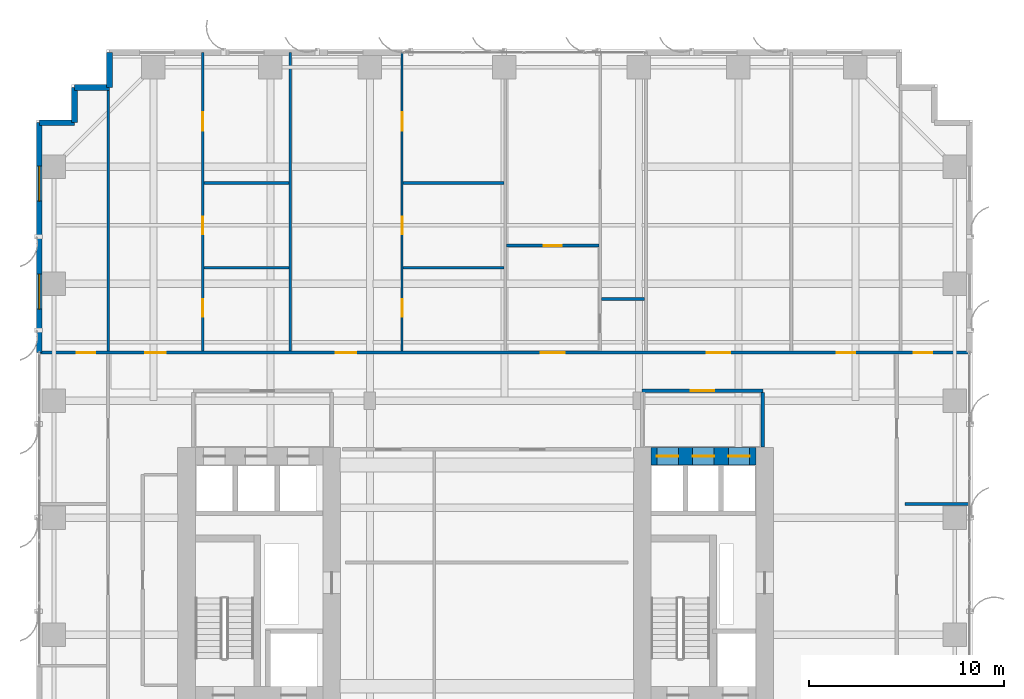
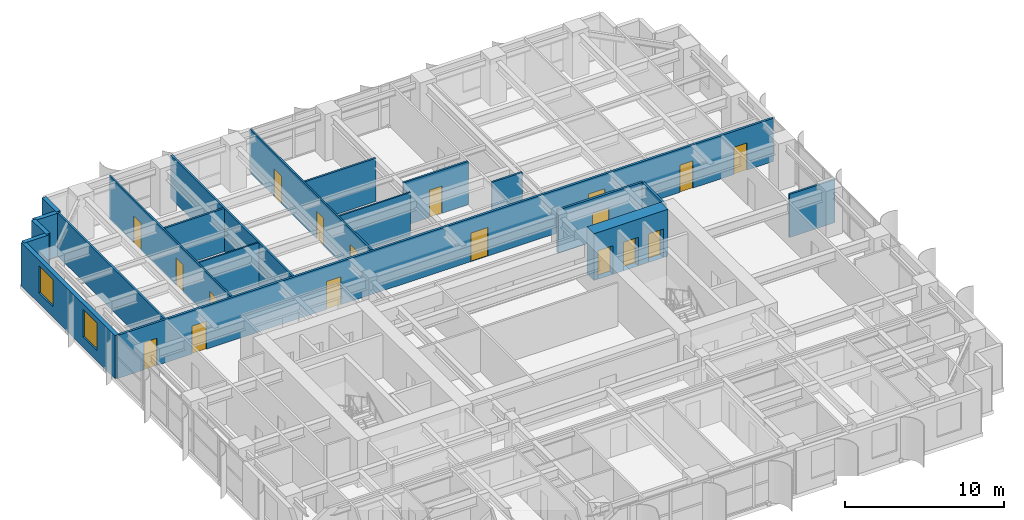
# One storey, part 18 of 23: 20 walls, 18 doors, 2 windows, 20 openings.
"""IFC4 building model written with IfcOpenShell, lengths in metres."""

from ifc_helpers import new_model, si_unit, direction, frame, frame_2d, origin, place, context, subcontext, project, spatial, rectangle, extrude, source, transform, mapped, material, layer, layer_set, type_object, element, fill, save


model = new_model("IFC4")

# Units and contexts
model_context = context("Model", 3, precision=1e-05, world=origin(), true_north=direction((0.0, 1.0)))
body_context = subcontext(model_context, "Body", "Model", "MODEL_VIEW")
ifc_project = project(units=[si_unit("LENGTHUNIT", "METRE"), si_unit("AREAUNIT", "SQUARE_METRE"), si_unit("VOLUMEUNIT", "CUBIC_METRE"), si_unit("PLANEANGLEUNIT", "RADIAN"), si_unit("MASSUNIT", "GRAM", prefix="KILO")], contexts=[model_context])

# Site, building, storey
site_placement = place(None, origin())
site = spatial("IfcSite", under=ifc_project, at=site_placement, CompositionType="ELEMENT")
building_placement = place(site_placement, origin())
building = spatial("IfcBuilding", under=site, at=building_placement, Name="Khoralis Quay Care Tower", CompositionType="ELEMENT")
storey_placement = place(building_placement, frame((0.0, 0.0, 33.300048828125)))
storey = spatial("IfcBuildingStorey", under=building, at=storey_placement, Name="L08", CompositionType="ELEMENT", Elevation=33.300048828125)

# Wall, openings, doors
ifc_material_1 = material(Name="Concrete C80/95", Category="concrete")
ifc_layer_1 = layer(ifc_material_1, 0.89990234375)
ifc_layer_set_1 = layer_set([ifc_layer_1], Name="Concrete C80/95")
wall_type_1 = type_object("IfcWallType", Name="WL-CORE-900", PredefinedType="SHEAR", material=ifc_layer_set_1)
wall_1_placement = place(storey_placement, frame((31.52001953125, 27.14990234375, 0.0), z_axis=(0.0, 0.0, 1.0), x_axis=(1.0, 0.0, 0.0)))
wall_1 = element("IfcWall", 1, at=wall_1_placement, inside=storey, type_object=wall_type_1, Name="L08 ECORE North Shear Wall", PredefinedType="SHEAR", context=body_context, shape_type="SweptSolid", body=[
    extrude(rectangle(XDim=5.3798828125, YDim=0.89990234375, at=frame_2d((2.68994140625, 0.0))), origin(), (0.0, 0.0, 1.0), 3.599853515625),
])
opening_1_placement = place(wall_1_placement, frame((0.300048828125, 0.0, 0.0)))
opening_1 = element("IfcOpeningElement", 2, at=opening_1_placement, cuts=wall_1, Name="Opening LD1", PredefinedType="OPENING", context=body_context, shape_type="SweptSolid", body=[
    extrude(rectangle(XDim=1.10009765625, YDim=2.199951171875, at=frame_2d((0.550048828125, 1.10009765625))), frame((0.0, 0.4599609375, 0.0), z_axis=(0.0, -1.0, 0.0), x_axis=(1.0, 0.0, 0.0)), (0.0, 0.0, 1.0), 0.919921875),
])
opening_2_placement = place(wall_1_placement, frame((2.1298828125, 0.0, 0.0)))
opening_2 = element("IfcOpeningElement", 3, at=opening_2_placement, cuts=wall_1, Name="Opening LD1", PredefinedType="OPENING", context=body_context, shape_type="SweptSolid", body=[
    extrude(rectangle(XDim=1.10009765625, YDim=2.199951171875, at=frame_2d((0.550048828125, 1.10009765625))), frame((0.0, 0.4599609375, 0.0), z_axis=(0.0, -1.0, 0.0), x_axis=(1.0, 0.0, 0.0)), (0.0, 0.0, 1.0), 0.919921875),
])
opening_3_placement = place(wall_1_placement, frame((3.9599609375, 0.0, 0.0)))
opening_3 = element("IfcOpeningElement", 4, at=opening_3_placement, cuts=wall_1, Name="Opening LD1", PredefinedType="OPENING", context=body_context, shape_type="SweptSolid", body=[
    extrude(rectangle(XDim=1.10009765625, YDim=2.199951171875, at=frame_2d((0.550048828125, 1.10009765625))), frame((0.0, 0.4599609375, 0.0), z_axis=(0.0, -1.0, 0.0), x_axis=(1.0, 0.0, 0.0)), (0.0, 0.0, 1.0), 0.919921875),
])
ifc_material_2 = material(Name="Brushed stainless steel", Category="steel")
door_type_1 = type_object("IfcDoorType", Name="DR-LIFT-1100X2200", OperationType="SLIDING_TO_LEFT", PredefinedType="DOOR", material=ifc_material_2)
shared_shape_1 = source(origin(), body_context, "Body", "SweptSolid", [
    extrude(rectangle(XDim=1.10009765625, YDim=2.199951171875, at=frame_2d((0.550048828125, 1.10009765625))), frame((0.0, 0.02490234375, 0.0), z_axis=(0.0, -1.0, 0.0), x_axis=(1.0, 0.0, 0.0)), (0.0, 0.0, 1.0), 0.050048828125),
])
door_1_placement = place(opening_1_placement, origin())
door_1 = element("IfcDoor", 5, at=door_1_placement, inside=storey, type_object=door_type_1, Name="L08 Lift PLL2 Landing Door", OperationType="SLIDING_TO_LEFT", OverallHeight=2.199951171875, OverallWidth=1.10009765625, PredefinedType="DOOR", context=body_context, shape_type="MappedRepresentation", body=[
    mapped(shared_shape_1, transform((0.0, 0.0, 0.0), scale=1.0)),
])
fill(opening_1, door_1)
door_2_placement = place(opening_2_placement, origin())
door_2 = element("IfcDoor", 6, at=door_2_placement, inside=storey, type_object=door_type_1, Name="L08 Lift PLM2 Landing Door", OperationType="SLIDING_TO_LEFT", OverallHeight=2.199951171875, OverallWidth=1.10009765625, PredefinedType="DOOR", context=body_context, shape_type="MappedRepresentation", body=[
    mapped(shared_shape_1, transform((0.0, 0.0, 0.0), scale=1.0)),
])
fill(opening_2, door_2)
door_3_placement = place(opening_3_placement, origin())
door_3 = element("IfcDoor", 7, at=door_3_placement, inside=storey, type_object=door_type_1, Name="L08 Lift PLH2 Landing Door", OperationType="SLIDING_TO_LEFT", OverallHeight=2.199951171875, OverallWidth=1.10009765625, PredefinedType="DOOR", context=body_context, shape_type="MappedRepresentation", body=[
    mapped(shared_shape_1, transform((0.0, 0.0, 0.0), scale=1.0)),
])
fill(opening_3, door_3)

# Wall, opening, door
ifc_material_3 = material(Name="Gypsum plasterboard on acoustic metal stud")
ifc_layer_2 = layer(ifc_material_3, 0.1650390625)
ifc_layer_set_2 = layer_set([ifc_layer_2], Name="Gypsum plasterboard on acoustic metal stud")
wall_type_2 = type_object("IfcWallType", Name="WL-CORR-165", PredefinedType="PARTITIONING", material=ifc_layer_set_2)
wall_2_placement = place(storey_placement, frame((31.050048828125, 30.5, 0.0), z_axis=(0.0, 0.0, 1.0), x_axis=(1.0, 0.0, 0.0)))
wall_2 = element("IfcWall", 8, at=wall_2_placement, inside=storey, type_object=wall_type_2, Name="L08 East Lift Lobby North Wall", PredefinedType="PARTITIONING", context=body_context, shape_type="SweptSolid", body=[
    extrude(rectangle(XDim=6.199951171875, YDim=0.1650390625, at=frame_2d((3.10009765625, 0.0))), origin(), (0.0, 0.0, 1.0), 3.320068359375),
])
opening_4_placement = place(wall_2_placement, frame((2.5, 0.0, 0.0)))
opening_4 = element("IfcOpeningElement", 9, at=opening_4_placement, cuts=wall_2, Name="Opening FD1", PredefinedType="OPENING", context=body_context, shape_type="SweptSolid", body=[
    extrude(rectangle(XDim=1.199951171875, YDim=2.199951171875, at=frame_2d((0.60009765625, 1.10009765625))), frame((0.0, 0.092529296875, 0.0), z_axis=(0.0, -1.0, 0.0), x_axis=(1.0, 0.0, 0.0)), (0.0, 0.0, 1.0), 0.18505859375),
])
ifc_material_4 = material(Name="Fire-rated painted steel", Category="steel")
door_type_2 = type_object("IfcDoorType", Name="DR-FFL-1200X2200", OperationType="NOTDEFINED", PredefinedType="DOOR", material=ifc_material_4)
shared_shape_2 = source(origin(), body_context, "Body", "SweptSolid", [
    extrude(rectangle(XDim=1.199951171875, YDim=2.199951171875, at=frame_2d((0.60009765625, 1.10009765625))), frame((0.0, 0.02490234375, 0.0), z_axis=(0.0, -1.0, 0.0), x_axis=(1.0, 0.0, 0.0)), (0.0, 0.0, 1.0), 0.050048828125),
])
door_4_placement = place(opening_4_placement, origin())
door_4 = element("IfcDoor", 10, at=door_4_placement, inside=storey, type_object=door_type_2, Name="L08 East Lift Lobby Double Door", OperationType="DOUBLE_DOOR_SINGLE_SWING", OverallHeight=2.199951171875, OverallWidth=1.199951171875, PredefinedType="DOOR", context=body_context, shape_type="MappedRepresentation", body=[
    mapped(shared_shape_2, transform((0.0, 0.0, 0.0), scale=1.0)),
])
fill(opening_4, door_4)

# Wall
wall_3_placement = place(storey_placement, frame((37.25, 27.6201171875, 0.0), z_axis=(0.0, 0.0, 1.0), x_axis=(0.0, 1.0, 0.0)))
element("IfcWall", 11, at=wall_3_placement, inside=storey, type_object=wall_type_2, Name="L08 East Lift Lobby East Wall", PredefinedType="PARTITIONING", context=body_context, shape_type="SweptSolid", body=[
    extrude(rectangle(XDim=2.802490234375, YDim=0.1650390625, at=frame_2d((1.4013671875, 0.0))), origin(), (0.0, 0.0, 1.0), 3.320068359375),
])

# Wall, openings, doors
wall_4_placement = place(storey_placement, frame((0.14501953125, 32.4599609375, 0.0), z_axis=(0.0, 0.0, 1.0), x_axis=(1.0, 0.0, 0.0)))
wall_4 = element("IfcWall", 12, at=wall_4_placement, inside=storey, type_object=wall_type_2, Name="L08 North Main Corridor Wall", PredefinedType="PARTITIONING", context=body_context, shape_type="SweptSolid", body=[
    extrude(rectangle(XDim=47.7099609375, YDim=0.1650390625, at=frame_2d((23.85498046875, 0.0))), origin(), (0.0, 0.0, 1.0), 3.320068359375),
])
opening_5_placement = place(wall_4_placement, frame((5.4384765625, 0.0, 0.0)))
opening_5 = element("IfcOpeningElement", 13, at=opening_5_placement, cuts=wall_4, Name="Opening UD1", PredefinedType="OPENING", context=body_context, shape_type="SweptSolid", body=[
    extrude(rectangle(XDim=1.050048828125, YDim=2.14990234375, at=frame_2d((0.52490234375, 1.074951171875))), frame((0.0, 0.092529296875, 0.0), z_axis=(0.0, -1.0, 0.0), x_axis=(1.0, 0.0, 0.0)), (0.0, 0.0, 1.0), 0.18505859375),
])
opening_6_placement = place(wall_4_placement, frame((15.218017578125, 0.0, 0.0)))
opening_6 = element("IfcOpeningElement", 14, at=opening_6_placement, cuts=wall_4, Name="Opening UD1", PredefinedType="OPENING", context=body_context, shape_type="SweptSolid", body=[
    extrude(rectangle(XDim=1.050048828125, YDim=2.14990234375, at=frame_2d((0.52490234375, 1.074951171875))), frame((0.0, 0.092529296875, 0.0), z_axis=(0.0, -1.0, 0.0), x_axis=(1.0, 0.0, 0.0)), (0.0, 0.0, 1.0), 0.18505859375),
])
opening_7_placement = place(wall_4_placement, frame((25.7099609375, 0.0, 0.0)))
opening_7 = element("IfcOpeningElement", 15, at=opening_7_placement, cuts=wall_4, Name="Opening CD1", PredefinedType="OPENING", context=body_context, shape_type="SweptSolid", body=[
    extrude(rectangle(XDim=1.25, YDim=2.199951171875, at=frame_2d((0.625, 1.10009765625))), frame((0.0, 0.092529296875, 0.0), z_axis=(0.0, -1.0, 0.0), x_axis=(1.0, 0.0, 0.0)), (0.0, 0.0, 1.0), 0.18505859375),
])
opening_8_placement = place(wall_4_placement, frame((34.239990234375, 0.0, 0.0)))
opening_8 = element("IfcOpeningElement", 16, at=opening_8_placement, cuts=wall_4, Name="Opening FD1", PredefinedType="OPENING", context=body_context, shape_type="SweptSolid", body=[
    extrude(rectangle(XDim=1.199951171875, YDim=2.199951171875, at=frame_2d((0.60009765625, 1.10009765625))), frame((0.0, 0.092529296875, 0.0), z_axis=(0.0, -1.0, 0.0), x_axis=(1.0, 0.0, 0.0)), (0.0, 0.0, 1.0), 0.18505859375),
])
opening_9_placement = place(wall_4_placement, frame((40.89501953125, 0.0, 0.0)))
opening_9 = element("IfcOpeningElement", 17, at=opening_9_placement, cuts=wall_4, Name="Opening ID1", PredefinedType="OPENING", context=body_context, shape_type="SweptSolid", body=[
    extrude(rectangle(XDim=0.949951171875, YDim=2.10009765625, at=frame_2d((0.47509765625, 1.050048828125))), frame((0.0, 0.092529296875, 0.0), z_axis=(0.0, -1.0, 0.0), x_axis=(1.0, 0.0, 0.0)), (0.0, 0.0, 1.0), 0.18505859375),
])
opening_10_placement = place(wall_4_placement, frame((1.919921875, 0.0, 0.0)))
opening_10 = element("IfcOpeningElement", 18, at=opening_10_placement, cuts=wall_4, Name="Opening ID1", PredefinedType="OPENING", context=body_context, shape_type="SweptSolid", body=[
    extrude(rectangle(XDim=0.949951171875, YDim=2.10009765625, at=frame_2d((0.47509765625, 1.050048828125))), frame((0.0, 0.092529296875, 0.0), z_axis=(0.0, -1.0, 0.0), x_axis=(1.0, 0.0, 0.0)), (0.0, 0.0, 1.0), 0.18505859375),
])
opening_11_placement = place(wall_4_placement, frame((44.840087890625, 0.0, 0.0)))
opening_11 = element("IfcOpeningElement", 19, at=opening_11_placement, cuts=wall_4, Name="Opening ID1", PredefinedType="OPENING", context=body_context, shape_type="SweptSolid", body=[
    extrude(rectangle(XDim=0.949951171875, YDim=2.10009765625, at=frame_2d((0.47509765625, 1.050048828125))), frame((0.0, 0.092529296875, 0.0), z_axis=(0.0, -1.0, 0.0), x_axis=(1.0, 0.0, 0.0)), (0.0, 0.0, 1.0), 0.18505859375),
])
door_5_placement = place(opening_8_placement, origin())
door_5 = element("IfcDoor", 20, at=door_5_placement, inside=storey, type_object=door_type_2, Name="L08 Senior Wellness Pharmacy Shop Door", OperationType="DOUBLE_DOOR_SINGLE_SWING", OverallHeight=2.199951171875, OverallWidth=1.199951171875, PredefinedType="DOOR", context=body_context, shape_type="MappedRepresentation", body=[
    mapped(shared_shape_2, transform((0.0, 0.0, 0.0), scale=1.0)),
])
fill(opening_8, door_5)
ifc_material_5 = material(Name="Acoustic hardwood timber", Category="wood")
door_type_3 = type_object("IfcDoorType", Name="DR-CARE-1250X2200", OperationType="NOTDEFINED", PredefinedType="DOOR", material=ifc_material_5)
shared_shape_3 = source(origin(), body_context, "Body", "SweptSolid", [
    extrude(rectangle(XDim=1.25, YDim=2.199951171875, at=frame_2d((0.625, 1.10009765625))), frame((0.0, 0.02490234375, 0.0), z_axis=(0.0, -1.0, 0.0), x_axis=(1.0, 0.0, 0.0)), (0.0, 0.0, 1.0), 0.050048828125),
])
door_6_placement = place(opening_7_placement, origin())
door_6 = element("IfcDoor", 21, at=door_6_placement, inside=storey, type_object=door_type_3, Name="L08 Care Suite NB2 Clinical Door", OperationType="SINGLE_SWING_RIGHT", OverallHeight=2.199951171875, OverallWidth=1.25, PredefinedType="DOOR", context=body_context, shape_type="MappedRepresentation", body=[
    mapped(shared_shape_3, transform((0.0, 0.0, 0.0), scale=1.0)),
])
fill(opening_7, door_6)
door_type_4 = type_object("IfcDoorType", Name="DR-ROOM-950X2100", OperationType="NOTDEFINED", PredefinedType="DOOR", material=ifc_material_5)
shared_shape_4 = source(origin(), body_context, "Body", "SweptSolid", [
    extrude(rectangle(XDim=0.949951171875, YDim=2.10009765625, at=frame_2d((0.47509765625, 1.050048828125))), frame((0.0, 0.02490234375, 0.0), z_axis=(0.0, -1.0, 0.0), x_axis=(1.0, 0.0, 0.0)), (0.0, 0.0, 1.0), 0.050048828125),
])
door_7_placement = place(opening_9_placement, origin())
door_7 = element("IfcDoor", 22, at=door_7_placement, inside=storey, type_object=door_type_4, Name="L08 Family Case Conference Room Door", OperationType="SINGLE_SWING_LEFT", OverallHeight=2.10009765625, OverallWidth=0.949951171875, PredefinedType="DOOR", context=body_context, shape_type="MappedRepresentation", body=[
    mapped(shared_shape_4, transform((0.0, 0.0, 0.0), scale=1.0)),
])
fill(opening_9, door_7)
door_8_placement = place(opening_10_placement, origin())
door_8 = element("IfcDoor", 23, at=door_8_placement, inside=storey, type_object=door_type_4, Name="L08 NW Corner Door", OperationType="SINGLE_SWING_RIGHT", OverallHeight=2.10009765625, OverallWidth=0.949951171875, PredefinedType="DOOR", context=body_context, shape_type="MappedRepresentation", body=[
    mapped(shared_shape_4, transform((0.0, 0.0, 0.0), scale=1.0)),
])
fill(opening_10, door_8)
door_9_placement = place(opening_11_placement, origin())
door_9 = element("IfcDoor", 24, at=door_9_placement, inside=storey, type_object=door_type_4, Name="L08 NE Corner Door", OperationType="SINGLE_SWING_LEFT", OverallHeight=2.10009765625, OverallWidth=0.949951171875, PredefinedType="DOOR", context=body_context, shape_type="MappedRepresentation", body=[
    mapped(shared_shape_4, transform((0.0, 0.0, 0.0), scale=1.0)),
])
fill(opening_11, door_9)
door_type_5 = type_object("IfcDoorType", Name="DR-SUITE-1050X2150", OperationType="NOTDEFINED", PredefinedType="DOOR", material=ifc_material_5)
shared_shape_5 = source(origin(), body_context, "Body", "SweptSolid", [
    extrude(rectangle(XDim=1.050048828125, YDim=2.14990234375, at=frame_2d((0.52490234375, 1.074951171875))), frame((0.0, 0.02490234375, 0.0), z_axis=(0.0, -1.0, 0.0), x_axis=(1.0, 0.0, 0.0)), (0.0, 0.0, 1.0), 0.050048828125),
])
door_10_placement = place(opening_5_placement, origin())
door_10 = element("IfcDoor", 25, at=door_10_placement, inside=storey, type_object=door_type_5, Name="L08 Apartment NB0 Entrance Door", OperationType="SINGLE_SWING_RIGHT", OverallHeight=2.14990234375, OverallWidth=1.050048828125, PredefinedType="DOOR", context=body_context, shape_type="MappedRepresentation", body=[
    mapped(shared_shape_5, transform((0.0, 0.0, 0.0), scale=1.0)),
])
fill(opening_5, door_10)
door_11_placement = place(opening_6_placement, origin())
door_11 = element("IfcDoor", 26, at=door_11_placement, inside=storey, type_object=door_type_5, Name="L08 Apartment NB1 Entrance Door", OperationType="SINGLE_SWING_LEFT", OverallHeight=2.14990234375, OverallWidth=1.050048828125, PredefinedType="DOOR", context=body_context, shape_type="MappedRepresentation", body=[
    mapped(shared_shape_5, transform((0.0, 0.0, 0.0), scale=1.0)),
])
fill(opening_6, door_11)

# Walls
ifc_material_6 = material(Name="Precast concrete C45/55", Category="concrete")
ifc_layer_3 = layer(ifc_material_6, 0.300048828125)
ifc_layer_set_3 = layer_set([ifc_layer_3], Name="Precast concrete C45/55")
wall_type_3 = type_object("IfcWallType", Name="WL-EXT-REF-300", PredefinedType="SOLIDWALL", material=ifc_layer_set_3)
for number, where, z_axis, x_axis, name in (
    (27, (3.75, 47.85009765625, 0.0), (0.0, 0.0, 1.0), (0.0, -1.0, 0.0), "L08 External Facade Wall WL-EXT-L08-P1-C11"),
    (28, (3.75, 46.050048828125, 0.0), (0.0, 0.0, 1.0), (-1.0, 0.0, 0.0), "L08 External Facade Wall WL-EXT-L08-P1-C12"),
    (29, (1.949951171875, 46.050048828125, 0.0), (0.0, 0.0, 1.0), (0.0, -1.0, 0.0), "L08 External Facade Wall WL-EXT-L08-P1-C13"),
    (30, (1.949951171875, 44.25, 0.0), (0.0, 0.0, 1.0), (-1.0, 0.0, 0.0), "L08 External Facade Wall WL-EXT-L08-P1-C14"),
):
    element("IfcWall", number, at=place(storey_placement, frame(where, z_axis=z_axis, x_axis=x_axis)), inside=storey, type_object=wall_type_3, Name=name, PredefinedType="SOLIDWALL", context=body_context, shape_type="SweptSolid", body=[
        extrude(rectangle(XDim=1.800048828125, YDim=0.300048828125, at=frame_2d((0.89990234375, 0.0))), origin(), (0.0, 0.0, 1.0), 3.320068359375),
    ])

# Wall, openings, windows
wall_5_placement = place(storey_placement, frame((0.14990234375, 44.25, 0.0), z_axis=(0.0, 0.0, 1.0), x_axis=(0.0, -1.0, 0.0)))
wall_5 = element("IfcWall", 31, at=wall_5_placement, inside=storey, type_object=wall_type_3, Name="L08 External Facade Wall WL-EXT-L08-P1-E15A", PredefinedType="SOLIDWALL", context=body_context, shape_type="SweptSolid", body=[
    extrude(rectangle(XDim=11.7900390625, YDim=0.300048828125, at=frame_2d((5.89501953125, 0.0))), origin(), (0.0, 0.0, 1.0), 3.320068359375),
])
opening_12_placement = place(wall_5_placement, frame((2.2275390625, 0.0, 0.800048828125)))
opening_12 = element("IfcOpeningElement", 32, at=opening_12_placement, cuts=wall_5, Name="Opening W2", PredefinedType="OPENING", context=body_context, shape_type="SweptSolid", body=[
    extrude(rectangle(XDim=1.800048828125, YDim=2.10009765625, at=frame_2d((0.89990234375, 1.050048828125))), frame((0.0, 0.16015625, 0.0), z_axis=(0.0, -1.0, 0.0), x_axis=(1.0, 0.0, 0.0)), (0.0, 0.0, 1.0), 0.320068359375),
])
opening_13_placement = place(wall_5_placement, frame((7.762451171875, 0.0, 0.800048828125)))
opening_13 = element("IfcOpeningElement", 33, at=opening_13_placement, cuts=wall_5, Name="Opening W2", PredefinedType="OPENING", context=body_context, shape_type="SweptSolid", body=[
    extrude(rectangle(XDim=1.800048828125, YDim=2.10009765625, at=frame_2d((0.89990234375, 1.050048828125))), frame((0.0, 0.16015625, 0.0), z_axis=(0.0, -1.0, 0.0), x_axis=(1.0, 0.0, 0.0)), (0.0, 0.0, 1.0), 0.320068359375),
])
ifc_material_7 = material(Name="Low-E solar-control double glazing", Category="glass")
window_type = type_object("IfcWindowType", Name="WN-POD-1800X2100", PartitioningType="SINGLE_PANEL", PredefinedType="WINDOW", material=ifc_material_7)
shared_shape_6 = source(origin(), body_context, "Body", "SweptSolid", [
    extrude(rectangle(XDim=1.800048828125, YDim=2.10009765625, at=frame_2d((0.89990234375, 1.050048828125))), frame((0.0, 0.030029296875, 0.0), z_axis=(0.0, -1.0, 0.0), x_axis=(1.0, 0.0, 0.0)), (0.0, 0.0, 1.0), 0.06005859375),
])
window_1_placement = place(opening_12_placement, origin())
window_1 = element("IfcWindow", 34, at=window_1_placement, inside=storey, type_object=window_type, Name="WN-L08-P1-E15A Facade Window 01", OverallHeight=2.10009765625, OverallWidth=1.800048828125, PartitioningType="SINGLE_PANEL", PredefinedType="WINDOW", context=body_context, shape_type="MappedRepresentation", body=[
    mapped(shared_shape_6, transform((0.0, 0.0, 0.0), scale=1.0)),
])
fill(opening_12, window_1)
window_2_placement = place(opening_13_placement, origin())
window_2 = element("IfcWindow", 35, at=window_2_placement, inside=storey, type_object=window_type, Name="WN-L08-P1-E15A Facade Window 02", OverallHeight=2.10009765625, OverallWidth=1.800048828125, PartitioningType="SINGLE_PANEL", PredefinedType="WINDOW", context=body_context, shape_type="MappedRepresentation", body=[
    mapped(shared_shape_6, transform((0.0, 0.0, 0.0), scale=1.0)),
])
fill(opening_13, window_2)

# Wall, openings, doors
ifc_layer_4 = layer(ifc_material_3, 0.114990234375)
ifc_layer_set_4 = layer_set([ifc_layer_4], Name="Gypsum plasterboard on acoustic metal stud")
wall_type_4 = type_object("IfcWallType", Name="WL-PART-115", PredefinedType="PARTITIONING", material=ifc_layer_set_4)
wall_6_placement = place(storey_placement, frame((8.537109375, 32.53759765625, 0.0), z_axis=(0.0, 0.0, 1.0), x_axis=(0.0, 1.0, 0.0)))
wall_6 = element("IfcWall", 36, at=wall_6_placement, inside=storey, type_object=wall_type_4, Name="L08 Unit 0 Internal Wall", PredefinedType="PARTITIONING", context=body_context, shape_type="SweptSolid", body=[
    extrude(rectangle(XDim=15.3173828125, YDim=0.114990234375, at=frame_2d((7.65869140625, 0.0))), origin(), (0.0, 0.0, 1.0), 3.320068359375),
])
opening_14_placement = place(wall_6_placement, frame((11.29345703125, 0.0, 0.0)))
opening_14 = element("IfcOpeningElement", 37, at=opening_14_placement, cuts=wall_6, Name="Opening ID1", PredefinedType="OPENING", context=body_context, shape_type="SweptSolid", body=[
    extrude(rectangle(XDim=0.949951171875, YDim=2.10009765625, at=frame_2d((0.47509765625, 1.050048828125))), frame((0.0, 0.0673828125, 0.0), z_axis=(0.0, -1.0, 0.0), x_axis=(1.0, 0.0, 0.0)), (0.0, 0.0, 1.0), 0.135009765625),
])
opening_15_placement = place(wall_6_placement, frame((5.9990234375, 0.0, 0.0)))
opening_15 = element("IfcOpeningElement", 38, at=opening_15_placement, cuts=wall_6, Name="Opening WD1", PredefinedType="OPENING", context=body_context, shape_type="SweptSolid", body=[
    extrude(rectangle(XDim=0.89990234375, YDim=2.10009765625, at=frame_2d((0.449951171875, 1.050048828125))), frame((0.0, 0.0673828125, 0.0), z_axis=(0.0, -1.0, 0.0), x_axis=(1.0, 0.0, 0.0)), (0.0, 0.0, 1.0), 0.135009765625),
])
opening_16_placement = place(wall_6_placement, frame((1.762939453125, 0.0, 0.0)))
opening_16 = element("IfcOpeningElement", 39, at=opening_16_placement, cuts=wall_6, Name="Opening WD1", PredefinedType="OPENING", context=body_context, shape_type="SweptSolid", body=[
    extrude(rectangle(XDim=0.89990234375, YDim=2.10009765625, at=frame_2d((0.449951171875, 1.050048828125))), frame((0.0, 0.0673828125, 0.0), z_axis=(0.0, -1.0, 0.0), x_axis=(1.0, 0.0, 0.0)), (0.0, 0.0, 1.0), 0.135009765625),
])
door_type_6 = type_object("IfcDoorType", Name="DR-BATH-900X2100", OperationType="NOTDEFINED", PredefinedType="DOOR", material=ifc_material_5)
shared_shape_7 = source(origin(), body_context, "Body", "SweptSolid", [
    extrude(rectangle(XDim=0.89990234375, YDim=2.10009765625, at=frame_2d((0.449951171875, 1.050048828125))), frame((0.0, 0.02490234375, 0.0), z_axis=(0.0, -1.0, 0.0), x_axis=(1.0, 0.0, 0.0)), (0.0, 0.0, 1.0), 0.050048828125),
])
door_12_placement = place(opening_15_placement, frame((0.89990234375, 0.0, 0.0), z_axis=(0.0, 0.0, 1.0), x_axis=(-1.0, 0.0, 0.0)))
door_12 = element("IfcDoor", 40, at=door_12_placement, inside=storey, type_object=door_type_6, Name="L08 Apartment NB0 KIT Door", OperationType="SINGLE_SWING_RIGHT", OverallHeight=2.10009765625, OverallWidth=0.89990234375, PredefinedType="DOOR", context=body_context, shape_type="MappedRepresentation", body=[
    mapped(shared_shape_7, transform((0.0, 0.0, 0.0), scale=1.0)),
])
fill(opening_15, door_12)
door_13_placement = place(opening_16_placement, frame((0.89990234375, 0.0, 0.0), z_axis=(0.0, 0.0, 1.0), x_axis=(-1.0, 0.0, 0.0)))
door_13 = element("IfcDoor", 41, at=door_13_placement, inside=storey, type_object=door_type_6, Name="L08 Apartment NB0 BTH Door", OperationType="SINGLE_SWING_LEFT", OverallHeight=2.10009765625, OverallWidth=0.89990234375, PredefinedType="DOOR", context=body_context, shape_type="MappedRepresentation", body=[
    mapped(shared_shape_7, transform((0.0, 0.0, 0.0), scale=1.0)),
])
fill(opening_16, door_13)
door_14_placement = place(opening_14_placement, frame((0.949951171875, 0.0, 0.0), z_axis=(0.0, 0.0, 1.0), x_axis=(-1.0, 0.0, 0.0)))
door_14 = element("IfcDoor", 42, at=door_14_placement, inside=storey, type_object=door_type_4, Name="L08 Apartment NB0 BED Door", OperationType="SINGLE_SWING_LEFT", OverallHeight=2.10009765625, OverallWidth=0.949951171875, PredefinedType="DOOR", context=body_context, shape_type="MappedRepresentation", body=[
    mapped(shared_shape_4, transform((0.0, 0.0, 0.0), scale=1.0)),
])
fill(opening_14, door_14)

# Wall
wall_7_placement = place(storey_placement, frame((8.589599609375, 36.81103515625, 0.0), z_axis=(0.0, 0.0, 1.0), x_axis=(1.0, 0.0, 0.0)))
element("IfcWall", 43, at=wall_7_placement, inside=storey, type_object=wall_type_4, Name="L08 Unit 0 Kitchen Wall", PredefinedType="PARTITIONING", context=body_context, shape_type="SweptSolid", body=[
    extrude(rectangle(XDim=4.365478515625, YDim=0.114990234375, at=frame_2d((2.1826171875, 0.0))), origin(), (0.0, 0.0, 1.0), 3.320068359375),
])

# Wall, openings, doors
wall_8_placement = place(storey_placement, frame((18.756103515625, 32.53759765625, 0.0), z_axis=(0.0, 0.0, 1.0), x_axis=(0.0, 1.0, 0.0)))
wall_8 = element("IfcWall", 44, at=wall_8_placement, inside=storey, type_object=wall_type_4, Name="L08 Unit 1 Internal Wall", PredefinedType="PARTITIONING", context=body_context, shape_type="SweptSolid", body=[
    extrude(rectangle(XDim=15.3173828125, YDim=0.114990234375, at=frame_2d((7.65869140625, 0.0))), origin(), (0.0, 0.0, 1.0), 3.320068359375),
])
opening_17_placement = place(wall_8_placement, frame((11.29345703125, 0.0, 0.0)))
opening_17 = element("IfcOpeningElement", 45, at=opening_17_placement, cuts=wall_8, Name="Opening ID1", PredefinedType="OPENING", context=body_context, shape_type="SweptSolid", body=[
    extrude(rectangle(XDim=0.949951171875, YDim=2.10009765625, at=frame_2d((0.47509765625, 1.050048828125))), frame((0.0, 0.0673828125, 0.0), z_axis=(0.0, -1.0, 0.0), x_axis=(1.0, 0.0, 0.0)), (0.0, 0.0, 1.0), 0.135009765625),
])
opening_18_placement = place(wall_8_placement, frame((5.9990234375, 0.0, 0.0)))
opening_18 = element("IfcOpeningElement", 46, at=opening_18_placement, cuts=wall_8, Name="Opening WD1", PredefinedType="OPENING", context=body_context, shape_type="SweptSolid", body=[
    extrude(rectangle(XDim=0.89990234375, YDim=2.10009765625, at=frame_2d((0.449951171875, 1.050048828125))), frame((0.0, 0.0673828125, 0.0), z_axis=(0.0, -1.0, 0.0), x_axis=(1.0, 0.0, 0.0)), (0.0, 0.0, 1.0), 0.135009765625),
])
opening_19_placement = place(wall_8_placement, frame((1.762939453125, 0.0, 0.0)))
opening_19 = element("IfcOpeningElement", 47, at=opening_19_placement, cuts=wall_8, Name="Opening WD1", PredefinedType="OPENING", context=body_context, shape_type="SweptSolid", body=[
    extrude(rectangle(XDim=0.89990234375, YDim=2.10009765625, at=frame_2d((0.449951171875, 1.050048828125))), frame((0.0, 0.0673828125, 0.0), z_axis=(0.0, -1.0, 0.0), x_axis=(1.0, 0.0, 0.0)), (0.0, 0.0, 1.0), 0.135009765625),
])
door_15_placement = place(opening_18_placement, frame((0.89990234375, 0.0, 0.0), z_axis=(0.0, 0.0, 1.0), x_axis=(-1.0, 0.0, 0.0)))
door_15 = element("IfcDoor", 48, at=door_15_placement, inside=storey, type_object=door_type_6, Name="L08 Apartment NB1 KIT Door", OperationType="SINGLE_SWING_LEFT", OverallHeight=2.10009765625, OverallWidth=0.89990234375, PredefinedType="DOOR", context=body_context, shape_type="MappedRepresentation", body=[
    mapped(shared_shape_7, transform((0.0, 0.0, 0.0), scale=1.0)),
])
fill(opening_18, door_15)
door_16_placement = place(opening_19_placement, frame((0.89990234375, 0.0, 0.0), z_axis=(0.0, 0.0, 1.0), x_axis=(-1.0, 0.0, 0.0)))
door_16 = element("IfcDoor", 49, at=door_16_placement, inside=storey, type_object=door_type_6, Name="L08 Apartment NB1 BTH Door", OperationType="SINGLE_SWING_RIGHT", OverallHeight=2.10009765625, OverallWidth=0.89990234375, PredefinedType="DOOR", context=body_context, shape_type="MappedRepresentation", body=[
    mapped(shared_shape_7, transform((0.0, 0.0, 0.0), scale=1.0)),
])
fill(opening_19, door_16)
door_17_placement = place(opening_17_placement, frame((0.949951171875, 0.0, 0.0), z_axis=(0.0, 0.0, 1.0), x_axis=(-1.0, 0.0, 0.0)))
door_17 = element("IfcDoor", 50, at=door_17_placement, inside=storey, type_object=door_type_4, Name="L08 Apartment NB1 BED Door", OperationType="SINGLE_SWING_RIGHT", OverallHeight=2.10009765625, OverallWidth=0.949951171875, PredefinedType="DOOR", context=body_context, shape_type="MappedRepresentation", body=[
    mapped(shared_shape_4, transform((0.0, 0.0, 0.0), scale=1.0)),
])
fill(opening_17, door_17)

# Walls
wall_9_placement = place(storey_placement, frame((18.80859375, 36.81103515625, 0.0), z_axis=(0.0, 0.0, 1.0), x_axis=(1.0, 0.0, 0.0)))
element("IfcWall", 51, at=wall_9_placement, inside=storey, type_object=wall_type_4, Name="L08 Unit 1 Kitchen Wall", PredefinedType="PARTITIONING", context=body_context, shape_type="SweptSolid", body=[
    extrude(rectangle(XDim=5.176513671875, YDim=0.114990234375, at=frame_2d((2.58837890625, 0.0))), origin(), (0.0, 0.0, 1.0), 3.320068359375),
])
ifc_material_8 = material(Name="Moisture-resistant gypsum and ceramic tile")
ifc_layer_5 = layer(ifc_material_8, 0.280029296875)
ifc_layer_set_5 = layer_set([ifc_layer_5], Name="Moisture-resistant gypsum and ceramic tile")
wall_type_5 = type_object("IfcWallType", Name="WL-PLUMB-280", PredefinedType="PLUMBINGWALL", material=ifc_layer_set_5)
wall_10_placement = place(storey_placement, frame((8.589599609375, 41.162109375, 0.0), z_axis=(0.0, 0.0, 1.0), x_axis=(1.0, 0.0, 0.0)))
element("IfcWall", 52, at=wall_10_placement, inside=storey, type_object=wall_type_5, Name="L08 Unit 0 Wet Wall", PredefinedType="PLUMBINGWALL", context=body_context, shape_type="SweptSolid", body=[
    extrude(rectangle(XDim=4.365478515625, YDim=0.139892578125, at=frame_2d((2.1826171875, 0.0))), origin(), (0.0, 0.0, 1.0), 3.320068359375),
])
wall_11_placement = place(storey_placement, frame((18.80859375, 41.162109375, 0.0), z_axis=(0.0, 0.0, 1.0), x_axis=(1.0, 0.0, 0.0)))
element("IfcWall", 53, at=wall_11_placement, inside=storey, type_object=wall_type_5, Name="L08 Unit 1 Wet Wall", PredefinedType="PLUMBINGWALL", context=body_context, shape_type="SweptSolid", body=[
    extrude(rectangle(XDim=5.176513671875, YDim=0.139892578125, at=frame_2d((2.58837890625, 0.0))), origin(), (0.0, 0.0, 1.0), 3.320068359375),
])
wall_12_placement = place(storey_placement, frame((28.97509765625, 35.2099609375, 0.0), z_axis=(0.0, 0.0, 1.0), x_axis=(1.0, 0.0, 0.0)))
element("IfcWall", 54, at=wall_12_placement, inside=storey, type_object=wall_type_5, Name="L08 Care Suite 2 En-Suite Wall H", PredefinedType="PLUMBINGWALL", context=body_context, shape_type="SweptSolid", body=[
    extrude(rectangle(XDim=2.219970703125, YDim=0.139892578125, at=frame_2d((1.10986328125, 0.0))), origin(), (0.0, 0.0, 1.0), 3.320068359375),
])
ifc_layer_6 = layer(ifc_material_3, 0.139892578125)
ifc_layer_set_6 = layer_set([ifc_layer_6], Name="Gypsum plasterboard on acoustic metal stud")
wall_type_6 = type_object("IfcWallType", Name="WL-UNIT-140", PredefinedType="PARTITIONING", material=ifc_layer_set_6)
wall_13_placement = place(storey_placement, frame((44.5400390625, 24.699951171875, 0.0), z_axis=(0.0, 0.0, 1.0), x_axis=(1.0, 0.0, 0.0)))
element("IfcWall", 55, at=wall_13_placement, inside=storey, type_object=wall_type_6, Name="L08 EE Divider 2", PredefinedType="PARTITIONING", context=body_context, shape_type="SweptSolid", body=[
    extrude(rectangle(XDim=3.31494140625, YDim=0.139892578125, at=frame_2d((1.657470703125, 0.0))), origin(), (0.0, 0.0, 1.0), 3.320068359375),
])
wall_14_placement = place(storey_placement, frame((3.679931640625, 32.53759765625, 0.0), z_axis=(0.0, 0.0, 1.0), x_axis=(0.0, 1.0, 0.0)))
element("IfcWall", 56, at=wall_14_placement, inside=storey, type_object=wall_type_6, Name="L08 NB Demising Wall 0", PredefinedType="PARTITIONING", context=body_context, shape_type="SweptSolid", body=[
    extrude(rectangle(XDim=13.517333984375, YDim=0.139892578125, at=frame_2d((6.7587890625, 0.0))), origin(), (0.0, 0.0, 1.0), 3.320068359375),
])
wall_15_placement = place(storey_placement, frame((13.02001953125, 32.53759765625, 0.0), z_axis=(0.0, 0.0, 1.0), x_axis=(0.0, 1.0, 0.0)))
element("IfcWall", 57, at=wall_15_placement, inside=storey, type_object=wall_type_6, Name="L08 NB Demising Wall 1", PredefinedType="PARTITIONING", context=body_context, shape_type="SweptSolid", body=[
    extrude(rectangle(XDim=15.3173828125, YDim=0.139892578125, at=frame_2d((7.65869140625, 0.0))), origin(), (0.0, 0.0, 1.0), 3.320068359375),
])

# Wall, opening, door
wall_16_placement = place(storey_placement, frame((24.114990234375, 37.949951171875, 0.0), z_axis=(0.0, 0.0, 1.0), x_axis=(1.0, 0.0, 0.0)))
wall_16 = element("IfcWall", 58, at=wall_16_placement, inside=storey, type_object=wall_type_6, Name="Skilled Care Bedroom L08-NB2 Sub-Partition", PredefinedType="PARTITIONING", context=body_context, shape_type="SweptSolid", body=[
    extrude(rectangle(XDim=4.72998046875, YDim=0.139892578125, at=frame_2d((2.364990234375, 0.0))), origin(), (0.0, 0.0, 1.0), 3.320068359375),
])
opening_20_placement = place(wall_16_placement, frame((1.9150390625, 0.0, 0.0)))
opening_20 = element("IfcOpeningElement", 59, at=opening_20_placement, cuts=wall_16, Name="Opening WD1", PredefinedType="OPENING", context=body_context, shape_type="SweptSolid", body=[
    extrude(rectangle(XDim=0.89990234375, YDim=2.10009765625, at=frame_2d((0.449951171875, 1.050048828125))), frame((0.0, 0.080078125, 0.0), z_axis=(0.0, -1.0, 0.0), x_axis=(1.0, 0.0, 0.0)), (0.0, 0.0, 1.0), 0.159912109375),
])
door_18_placement = place(opening_20_placement, frame((0.89990234375, 0.0, 0.0), z_axis=(0.0, 0.0, 1.0), x_axis=(-1.0, 0.0, 0.0)))
door_18 = element("IfcDoor", 60, at=door_18_placement, inside=storey, type_object=door_type_6, Name="Private Study & Reading Alcove ARE2 Door", OperationType="SINGLE_SWING_LEFT", OverallHeight=2.10009765625, OverallWidth=0.89990234375, PredefinedType="DOOR", context=body_context, shape_type="MappedRepresentation", body=[
    mapped(shared_shape_7, transform((0.0, 0.0, 0.0), scale=1.0)),
])
fill(opening_20, door_18)

save(model, "model.ifc")
